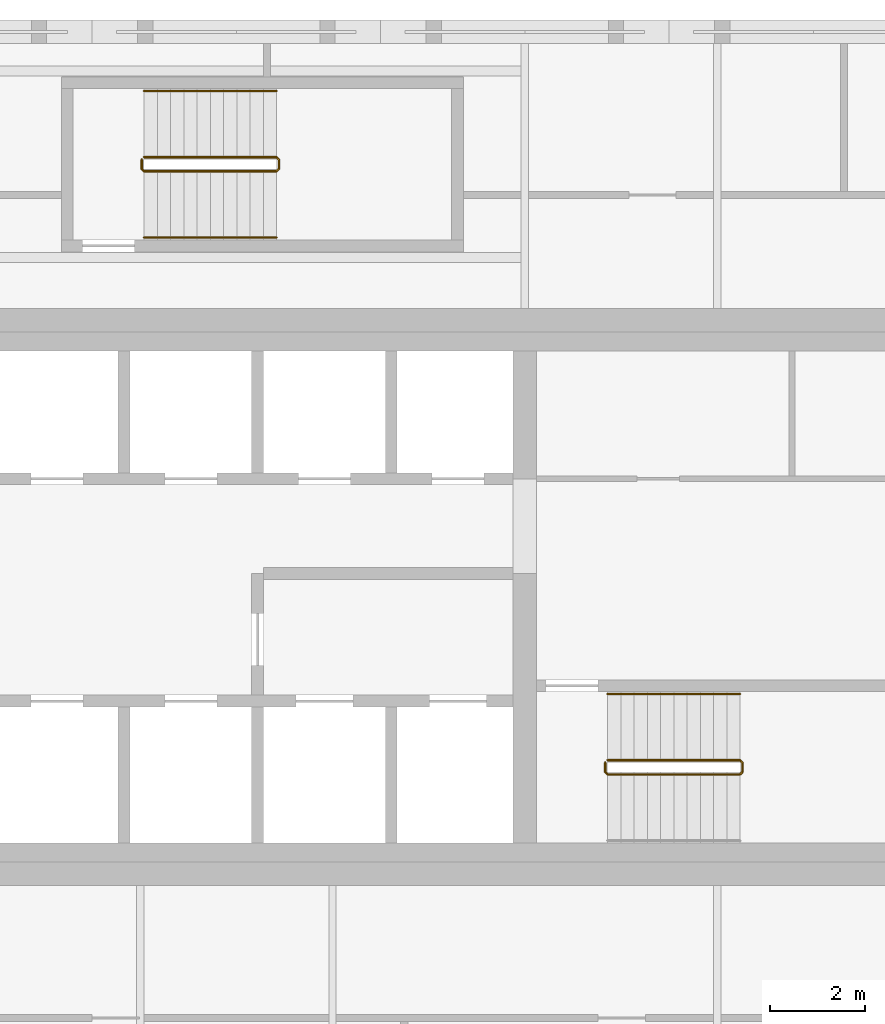
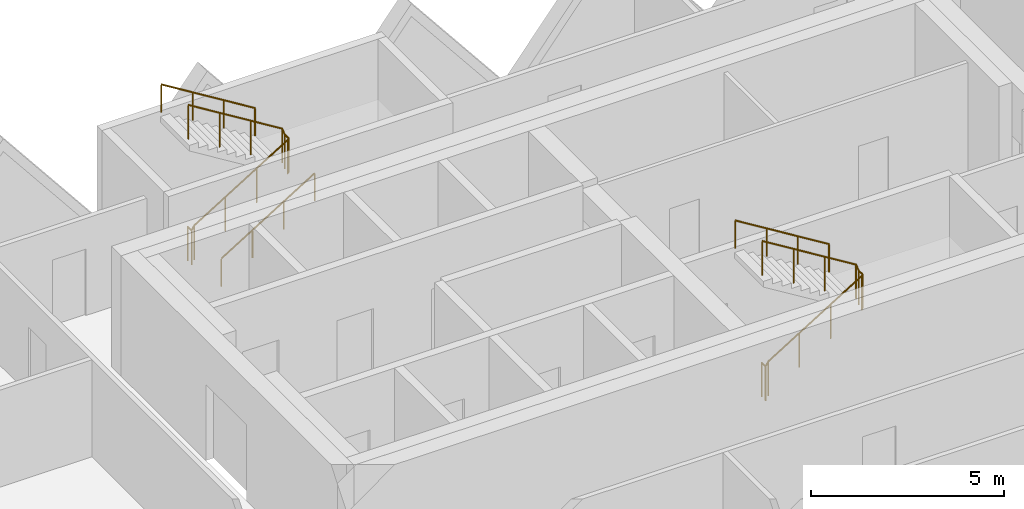
# One storey, part 19 of 19: 5 railings.
"""IFC4 building model written with IfcOpenShell, lengths in metres."""

from ifc_helpers import new_model, si_unit, direction, frame, origin, origin_2d, place, context, subcontext, project, spatial, circle, extrude, material, type_object, element, save


model = new_model("IFC4")

# Units and contexts
model_context = context("Model", 3, precision=1e-05, world=origin(), true_north=direction((0.0, 1.0)))
body_context = subcontext(model_context, "Body", "Model", "MODEL_VIEW")
ifc_project = project(units=[si_unit("LENGTHUNIT", "METRE"), si_unit("AREAUNIT", "SQUARE_METRE"), si_unit("VOLUMEUNIT", "CUBIC_METRE"), si_unit("PLANEANGLEUNIT", "RADIAN"), si_unit("MASSUNIT", "GRAM", prefix="KILO")], contexts=[model_context])

# Site, building, storey
site_placement = place(None, origin())
site = spatial("IfcSite", under=ifc_project, at=site_placement, CompositionType="ELEMENT")
building_placement = place(site_placement, origin())
building = spatial("IfcBuilding", under=site, at=building_placement, Name="Tessera Gate Towers", CompositionType="ELEMENT")
storey_placement = place(building_placement, frame((0.0, 0.0, 68.60009765625)))
storey = spatial("IfcBuildingStorey", under=building, at=storey_placement, Name="L16", CompositionType="ELEMENT", Elevation=68.60009765625)

# Railings
ifc_material_1 = material(Name="Steel 350W", Category="steel")
railing_type_1 = type_object("IfcRailingType", Name="STAIR GUARD 1100", PredefinedType="GUARDRAIL", material=ifc_material_1)
railing_1_placement = place(storey_placement, frame((111.5, 39.199951171875, 0.0)))
element("IfcRailing", 1, at=railing_1_placement, inside=storey, type_object=railing_type_1, Name="L16 ST6 stair guard 1", PredefinedType="GUARDRAIL", context=body_context, shape_type="SweptSolid", body=[
    extrude(circle(Radius=0.02392578125, at=origin_2d()), frame((0.0, 0.0, 1.076171875), z_axis=(0.0, -1.0, 0.0), x_axis=(1.0, 0.0, 0.0)), (0.0, 0.0, 1.0), 0.199951171875),
    extrude(circle(Radius=0.02392578125, at=origin_2d()), frame((0.0, -0.199951171875, 1.076171875), z_axis=(0.268277960024, -0.268277960024, 0.925231793839), x_axis=(0.707106781187, 0.707106781187, 0.0)), (0.0, 0.0, 1.0), 0.1865234375),
    extrude(circle(Radius=0.02392578125, at=origin_2d()), frame((0.050048828125, -0.25, 1.24853515625), z_axis=(0.851089632645, 0.0, 0.525020415988), x_axis=(0.0, 1.0, 0.0)), (0.0, 0.0, 1.0), 3.2900390625),
    extrude(circle(Radius=0.02392578125, at=origin_2d()), frame((2.85009765625, -0.25, 2.97607421875), z_axis=(0.705375805398, 0.708833529934, 0.0), x_axis=(-0.708833529934, 0.705375805398, 0.0)), (0.0, 0.0, 1.0), 0.070556640625),
    extrude(circle(Radius=0.02392578125, at=origin_2d()), frame((2.89990234375, -0.199951171875, 2.97607421875), z_axis=(0.0, 1.0, 0.0), x_axis=(-1.0, 0.0, 0.0)), (0.0, 0.0, 1.0), 0.199951171875),
    extrude(circle(Radius=0.02392578125, at=origin_2d()), frame((2.89990234375, 0.0, 2.97607421875), z_axis=(-0.267062837333, 0.268371968888, 0.925556009775), x_axis=(-0.708833529934, -0.705375805398, 0.0)), (0.0, 0.0, 1.0), 0.1865234375),
    extrude(circle(Radius=0.02392578125, at=origin_2d()), frame((2.85009765625, 0.050048828125, 3.1484375), z_axis=(-0.851089632645, 0.0, 0.525020415988), x_axis=(0.0, -1.0, 0.0)), (0.0, 0.0, 1.0), 3.2900390625),
    extrude(circle(Radius=0.02099609375, at=origin_2d()), origin(), (0.0, 0.0, 1.0), 1.052001953125),
    extrude(circle(Radius=0.02099609375, at=origin_2d()), frame((0.0, -0.199951171875, 0.0)), (0.0, 0.0, 1.0), 1.052001953125),
    extrude(circle(Radius=0.02099609375, at=origin_2d()), frame((0.050048828125, -0.25, 0.172607421875)), (0.0, 0.0, 1.0), 1.052001953125),
    extrude(circle(Radius=0.02099609375, at=origin_2d()), frame((0.9833984375, -0.25, 0.748291015625)), (0.0, 0.0, 1.0), 1.052001953125),
    extrude(circle(Radius=0.02099609375, at=origin_2d()), frame((1.916748046875, -0.25, 1.32421875)), (0.0, 0.0, 1.0), 1.052001953125),
    extrude(circle(Radius=0.02099609375, at=origin_2d()), frame((2.85009765625, -0.25, 1.89990234375)), (0.0, 0.0, 1.0), 1.052001953125),
    extrude(circle(Radius=0.02099609375, at=origin_2d()), frame((2.89990234375, -0.199951171875, 1.89990234375)), (0.0, 0.0, 1.0), 1.052001953125),
    extrude(circle(Radius=0.02099609375, at=origin_2d()), frame((2.89990234375, 0.0, 1.89990234375)), (0.0, 0.0, 1.0), 1.052001953125),
    extrude(circle(Radius=0.02099609375, at=origin_2d()), frame((2.85009765625, 0.050048828125, 2.072509765625)), (0.0, 0.0, 1.0), 1.052001953125),
    extrude(circle(Radius=0.02099609375, at=origin_2d()), frame((1.916748046875, 0.050048828125, 2.648193359375)), (0.0, 0.0, 1.0), 1.052001953125),
    extrude(circle(Radius=0.02099609375, at=origin_2d()), frame((0.9833984375, 0.050048828125, 3.22412109375)), (0.0, 0.0, 1.0), 1.052001953125),
    extrude(circle(Radius=0.02099609375, at=origin_2d()), frame((0.050048828125, 0.050048828125, 3.7998046875)), (0.0, 0.0, 1.0), 1.052001953125),
])
railing_2_placement = place(storey_placement, frame((101.699951171875, 51.949951171875, 0.0)))
element("IfcRailing", 2, at=railing_2_placement, inside=storey, type_object=railing_type_1, Name="L16 ST7 stair guard 1", PredefinedType="GUARDRAIL", context=body_context, shape_type="SweptSolid", body=[
    extrude(circle(Radius=0.02392578125, at=origin_2d()), frame((0.0, 0.0, 1.076171875), z_axis=(0.0, -1.0, 0.0), x_axis=(1.0, 0.0, 0.0)), (0.0, 0.0, 1.0), 0.199951171875),
    extrude(circle(Radius=0.02392578125, at=origin_2d()), frame((0.0, -0.199951171875, 1.076171875), z_axis=(0.268277960024, -0.268277960024, 0.925231793839), x_axis=(0.707106781187, 0.707106781187, 0.0)), (0.0, 0.0, 1.0), 0.1865234375),
    extrude(circle(Radius=0.02392578125, at=origin_2d()), frame((0.050048828125, -0.25, 1.24853515625), z_axis=(0.851089632645, 0.0, 0.525020415988), x_axis=(0.0, 1.0, 0.0)), (0.0, 0.0, 1.0), 3.2900390625),
    extrude(circle(Radius=0.02392578125, at=origin_2d()), frame((2.85009765625, -0.25, 2.97607421875), z_axis=(0.707106781187, 0.707106781187, 0.0), x_axis=(-0.707106781187, 0.707106781187, 0.0)), (0.0, 0.0, 1.0), 0.07080078125),
    extrude(circle(Radius=0.02392578125, at=origin_2d()), frame((2.900146484375, -0.199951171875, 2.97607421875), z_axis=(0.0, 1.0, 0.0), x_axis=(-1.0, 0.0, 0.0)), (0.0, 0.0, 1.0), 0.199951171875),
    extrude(circle(Radius=0.02392578125, at=origin_2d()), frame((2.900146484375, 0.0, 2.97607421875), z_axis=(-0.268277960024, 0.268277960024, 0.925231793839), x_axis=(-0.707106781187, -0.707106781187, 0.0)), (0.0, 0.0, 1.0), 0.1865234375),
    extrude(circle(Radius=0.02392578125, at=origin_2d()), frame((2.85009765625, 0.050048828125, 3.1484375), z_axis=(-0.851089632645, 0.0, 0.525020415988), x_axis=(0.0, -1.0, 0.0)), (0.0, 0.0, 1.0), 3.2900390625),
    extrude(circle(Radius=0.02099609375, at=origin_2d()), origin(), (0.0, 0.0, 1.0), 1.052001953125),
    extrude(circle(Radius=0.02099609375, at=origin_2d()), frame((0.0, -0.199951171875, 0.0)), (0.0, 0.0, 1.0), 1.052001953125),
    extrude(circle(Radius=0.02099609375, at=origin_2d()), frame((0.050048828125, -0.25, 0.172607421875)), (0.0, 0.0, 1.0), 1.052001953125),
    extrude(circle(Radius=0.02099609375, at=origin_2d()), frame((0.9833984375, -0.25, 0.748291015625)), (0.0, 0.0, 1.0), 1.052001953125),
    extrude(circle(Radius=0.02099609375, at=origin_2d()), frame((1.916748046875, -0.25, 1.32421875)), (0.0, 0.0, 1.0), 1.052001953125),
    extrude(circle(Radius=0.02099609375, at=origin_2d()), frame((2.85009765625, -0.25, 1.89990234375)), (0.0, 0.0, 1.0), 1.052001953125),
    extrude(circle(Radius=0.02099609375, at=origin_2d()), frame((2.900146484375, -0.199951171875, 1.89990234375)), (0.0, 0.0, 1.0), 1.052001953125),
    extrude(circle(Radius=0.02099609375, at=origin_2d()), frame((2.900146484375, 0.0, 1.89990234375)), (0.0, 0.0, 1.0), 1.052001953125),
    extrude(circle(Radius=0.02099609375, at=origin_2d()), frame((2.85009765625, 0.050048828125, 2.072509765625)), (0.0, 0.0, 1.0), 1.052001953125),
    extrude(circle(Radius=0.02099609375, at=origin_2d()), frame((1.916748046875, 0.050048828125, 2.648193359375)), (0.0, 0.0, 1.0), 1.052001953125),
    extrude(circle(Radius=0.02099609375, at=origin_2d()), frame((0.9833984375, 0.050048828125, 3.22412109375)), (0.0, 0.0, 1.0), 1.052001953125),
    extrude(circle(Radius=0.02099609375, at=origin_2d()), frame((0.050048828125, 0.050048828125, 3.7998046875)), (0.0, 0.0, 1.0), 1.052001953125),
])
ifc_material_2 = material(Name="Steel 350W", Category="steel")
railing_type_2 = type_object("IfcRailingType", Name="STAIR HANDRAIL 900", PredefinedType="HANDRAIL", material=ifc_material_2)
railing_3_placement = place(storey_placement, frame((114.35009765625, 40.64990234375, 2.072509765625)))
element("IfcRailing", 3, at=railing_3_placement, inside=storey, type_object=railing_type_2, Name="L16 ST6 stair handrail 2", PredefinedType="HANDRAIL", context=body_context, shape_type="SweptSolid", body=[
    extrude(circle(Radius=0.02392578125, at=origin_2d()), frame((0.0, 0.0, 0.8759765625), z_axis=(-0.851089632645, 0.0, 0.525020415988), x_axis=(0.0, -1.0, 0.0)), (0.0, 0.0, 1.0), 3.2900390625),
    extrude(circle(Radius=0.02099609375, at=origin_2d()), origin(), (0.0, 0.0, 1.0), 0.851806640625),
    extrude(circle(Radius=0.02099609375, at=origin_2d()), frame((-0.933349609375, 0.0, 0.57568359375)), (0.0, 0.0, 1.0), 0.851806640625),
    extrude(circle(Radius=0.02099609375, at=origin_2d()), frame((-1.86669921875, 0.0, 1.151611328125)), (0.0, 0.0, 1.0), 0.851806640625),
    extrude(circle(Radius=0.02099609375, at=origin_2d()), frame((-2.800048828125, 0.0, 1.727294921875)), (0.0, 0.0, 1.0), 0.851806640625),
])
railing_4_placement = place(storey_placement, frame((101.75, 50.300048828125, 0.172607421875)))
element("IfcRailing", 4, at=railing_4_placement, inside=storey, type_object=railing_type_2, Name="L16 ST7 stair handrail 1", PredefinedType="HANDRAIL", context=body_context, shape_type="SweptSolid", body=[
    extrude(circle(Radius=0.02392578125, at=origin_2d()), frame((0.0, 0.0, 0.8759765625), z_axis=(0.851089632645, 0.0, 0.525020415988), x_axis=(0.0, 1.0, 0.0)), (0.0, 0.0, 1.0), 3.2900390625),
    extrude(circle(Radius=0.02099609375, at=origin_2d()), origin(), (0.0, 0.0, 1.0), 0.851806640625),
    extrude(circle(Radius=0.02099609375, at=origin_2d()), frame((0.933349609375, 0.0, 0.57568359375)), (0.0, 0.0, 1.0), 0.851806640625),
    extrude(circle(Radius=0.02099609375, at=origin_2d()), frame((1.86669921875, 0.0, 1.151611328125)), (0.0, 0.0, 1.0), 0.851806640625),
    extrude(circle(Radius=0.02099609375, at=origin_2d()), frame((2.800048828125, 0.0, 1.727294921875)), (0.0, 0.0, 1.0), 0.851806640625),
])
railing_5_placement = place(storey_placement, frame((104.550048828125, 53.39990234375, 2.072509765625)))
element("IfcRailing", 5, at=railing_5_placement, inside=storey, type_object=railing_type_2, Name="L16 ST7 stair handrail 2", PredefinedType="HANDRAIL", context=body_context, shape_type="SweptSolid", body=[
    extrude(circle(Radius=0.02392578125, at=origin_2d()), frame((0.0, 0.0, 0.8759765625), z_axis=(-0.851089632645, 0.0, 0.525020415988), x_axis=(0.0, -1.0, 0.0)), (0.0, 0.0, 1.0), 3.2900390625),
    extrude(circle(Radius=0.02099609375, at=origin_2d()), origin(), (0.0, 0.0, 1.0), 0.851806640625),
    extrude(circle(Radius=0.02099609375, at=origin_2d()), frame((-0.933349609375, 0.0, 0.57568359375)), (0.0, 0.0, 1.0), 0.851806640625),
    extrude(circle(Radius=0.02099609375, at=origin_2d()), frame((-1.86669921875, 0.0, 1.151611328125)), (0.0, 0.0, 1.0), 0.851806640625),
    extrude(circle(Radius=0.02099609375, at=origin_2d()), frame((-2.800048828125, 0.0, 1.727294921875)), (0.0, 0.0, 1.0), 0.851806640625),
])

save(model, "model.ifc")
